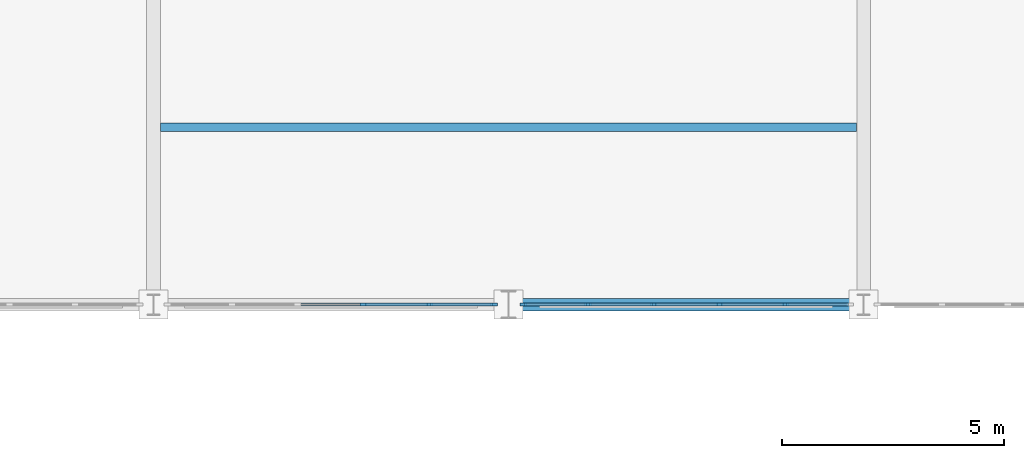
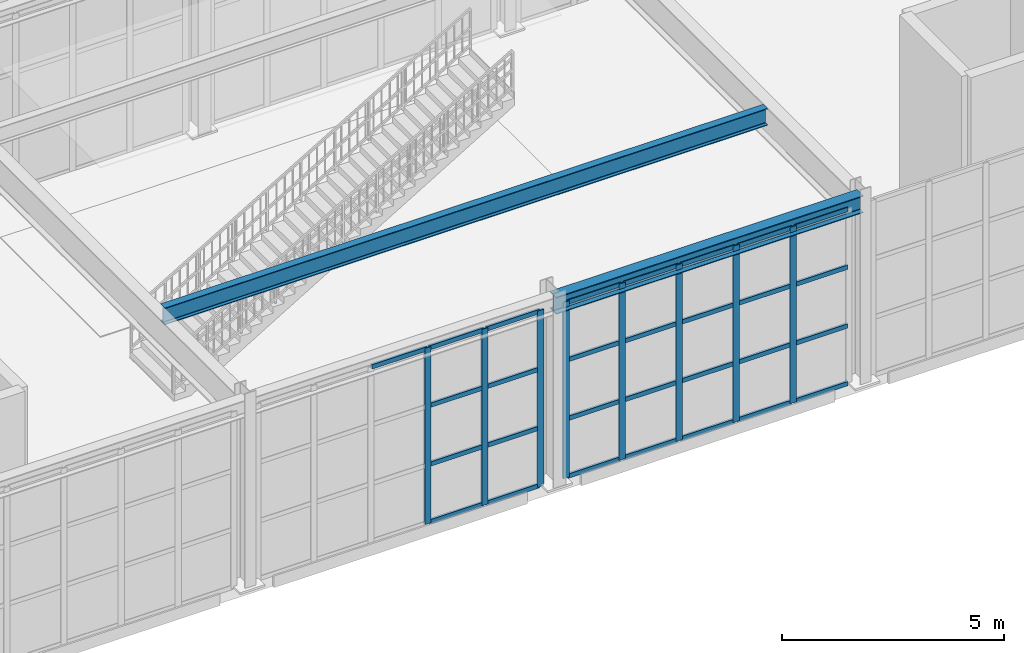
# One storey, part 24 of 82: 37 members, 2 beams, 2 elements without a shape of their own.
"""IFC4 building model written with IfcOpenShell, lengths in metres."""

from ifc_helpers import new_model, si_unit, direction, frame, origin, origin_2d, place, context, subcontext, project, spatial, rectangle, i_section, extrude, material, material_profile, profile_set, type_object, element, aggregate, save


model = new_model("IFC4")

# Units and contexts
model_context = context("Model", 3, precision=1e-05, world=origin(), true_north=direction((0.0, 1.0)))
body_context = subcontext(model_context, "Body", "Model", "MODEL_VIEW")
ifc_project = project(units=[si_unit("LENGTHUNIT", "METRE"), si_unit("AREAUNIT", "SQUARE_METRE"), si_unit("VOLUMEUNIT", "CUBIC_METRE"), si_unit("PLANEANGLEUNIT", "RADIAN"), si_unit("MASSUNIT", "GRAM", prefix="KILO")], contexts=[model_context])

# Site, building, storey
site_placement = place(None, origin())
site = spatial("IfcSite", under=ifc_project, at=site_placement, CompositionType="ELEMENT")
building_placement = place(site_placement, origin())
building = spatial("IfcBuilding", under=site, at=building_placement, Name="Serraluz Foothill Cableway Terminal", CompositionType="ELEMENT")
storey_placement = place(building_placement, frame((0.0, 0.0, 9.60009765625)))
storey = spatial("IfcBuildingStorey", under=building, at=storey_placement, Name="L02", CompositionType="ELEMENT", Elevation=9.60009765625)

# Curtain wall, members
ifc_material_1 = material(Name="Architectural bronze alloy C28000", Category="aluminium")
curtain_wall_type_1 = type_object("IfcCurtainWallType", Name="TYP-CW-620X420", PredefinedType="NOTDEFINED", material=ifc_material_1)
curtain_wall_1_placement = place(storey_placement, origin())
curtain_wall_1 = element("IfcCurtainWall", 1, at=curtain_wall_1_placement, inside=storey, type_object=curtain_wall_type_1, Name="Ribbed Glazed Curtain Wall CW-V1S-L02-80", PredefinedType="NOTDEFINED")
ifc_material_profile_1 = material_profile(ifc_material_1, rectangle(XDim=0.06005859375, YDim=0.159912109375, at=origin_2d()), Name="ALU MULLION 60x160")
ifc_profile_set_1 = profile_set([ifc_material_profile_1], Name="Architectural bronze alloy C28000")
member_type_1 = type_object("IfcMemberType", Name="TYP-CW-MUL-60X160", PredefinedType="MULLION", material=ifc_profile_set_1)
member_1_placement = place(storey_placement, frame((87.66748046875, 56.0, 0.0), z_axis=(0.0, 0.0, 1.0), x_axis=(0.0, -1.0, 0.0)))
member_1 = element("IfcMember", 2, at=member_1_placement, type_object=member_type_1, Name="CW-11 mullion 1", PredefinedType="MULLION", context=body_context, shape_type="SweptSolid", body=[
    extrude(rectangle(XDim=0.06005859375, YDim=0.159912109375, at=origin_2d()), origin(), (0.0, 0.0, 1.0), 4.849853515625),
])
member_2_placement = place(storey_placement, frame((86.21435546875, 56.0, 0.0), z_axis=(0.0, 0.0, 1.0), x_axis=(0.0, -1.0, 0.0)))
member_2 = element("IfcMember", 3, at=member_2_placement, type_object=member_type_1, Name="CW-11 mullion 2", PredefinedType="MULLION", context=body_context, shape_type="SweptSolid", body=[
    extrude(rectangle(XDim=0.06005859375, YDim=0.159912109375, at=origin_2d()), origin(), (0.0, 0.0, 1.0), 4.849853515625),
])
member_3_placement = place(storey_placement, frame((84.731201171875, 56.0, 0.0), z_axis=(0.0, 0.0, 1.0), x_axis=(0.0, -1.0, 0.0)))
member_3 = element("IfcMember", 4, at=member_3_placement, type_object=member_type_1, Name="CW-11 mullion 3", PredefinedType="MULLION", context=body_context, shape_type="SweptSolid", body=[
    extrude(rectangle(XDim=0.06005859375, YDim=0.159912109375, at=origin_2d()), origin(), (0.0, 0.0, 1.0), 4.849853515625),
])

curtain_wall_type_2 = type_object("IfcCurtainWallType", Name="TYP-CW-640X440", PredefinedType="NOTDEFINED", material=ifc_material_1)
curtain_wall_2_placement = place(storey_placement, origin())
curtain_wall_2 = element("IfcCurtainWall", 5, at=curtain_wall_2_placement, inside=storey, type_object=curtain_wall_type_2, Name="Ribbed Glazed Curtain Wall CW-V1S-L02-88", PredefinedType="NOTDEFINED")
member_4_placement = place(storey_placement, frame((94.2353515625, 56.0, 0.0), z_axis=(0.0, 0.0, 1.0), x_axis=(0.0, -1.0, 0.0)))
member_4 = element("IfcMember", 6, at=member_4_placement, type_object=member_type_1, Name="CW-12 mullion 2", PredefinedType="MULLION", context=body_context, shape_type="SweptSolid", body=[
    extrude(rectangle(XDim=0.06005859375, YDim=0.159912109375, at=origin_2d()), origin(), (0.0, 0.0, 1.0), 4.849853515625),
])
member_5_placement = place(storey_placement, frame((92.752197265625, 56.0, 0.0), z_axis=(0.0, 0.0, 1.0), x_axis=(0.0, -1.0, 0.0)))
member_5 = element("IfcMember", 7, at=member_5_placement, type_object=member_type_1, Name="CW-12 mullion 3", PredefinedType="MULLION", context=body_context, shape_type="SweptSolid", body=[
    extrude(rectangle(XDim=0.06005859375, YDim=0.159912109375, at=origin_2d()), origin(), (0.0, 0.0, 1.0), 4.849853515625),
])
member_6_placement = place(storey_placement, frame((91.268798828125, 56.0, 0.0), z_axis=(0.0, 0.0, 1.0), x_axis=(0.0, -1.0, 0.0)))
member_6 = element("IfcMember", 8, at=member_6_placement, type_object=member_type_1, Name="CW-12 mullion 4", PredefinedType="MULLION", context=body_context, shape_type="SweptSolid", body=[
    extrude(rectangle(XDim=0.06005859375, YDim=0.159912109375, at=origin_2d()), origin(), (0.0, 0.0, 1.0), 4.849853515625),
])
member_7_placement = place(storey_placement, frame((89.78564453125, 56.0, 0.0), z_axis=(0.0, 0.0, 1.0), x_axis=(0.0, -1.0, 0.0)))
member_7 = element("IfcMember", 9, at=member_7_placement, type_object=member_type_1, Name="CW-12 mullion 5", PredefinedType="MULLION", context=body_context, shape_type="SweptSolid", body=[
    extrude(rectangle(XDim=0.06005859375, YDim=0.159912109375, at=origin_2d()), origin(), (0.0, 0.0, 1.0), 4.849853515625),
])
member_8_placement = place(storey_placement, frame((88.33251953125, 56.0, 0.0), z_axis=(0.0, 0.0, 1.0), x_axis=(0.0, -1.0, 0.0)))
member_8 = element("IfcMember", 10, at=member_8_placement, type_object=member_type_1, Name="CW-12 mullion 6", PredefinedType="MULLION", context=body_context, shape_type="SweptSolid", body=[
    extrude(rectangle(XDim=0.06005859375, YDim=0.159912109375, at=origin_2d()), origin(), (0.0, 0.0, 1.0), 4.849853515625),
])

# Member
ifc_material_profile_2 = material_profile(ifc_material_1, rectangle(XDim=0.06005859375, YDim=0.1201171875, at=origin_2d()), Name="ALU TRANSOM 60x120")
ifc_profile_set_2 = profile_set([ifc_material_profile_2], Name="Architectural bronze alloy C28000")
member_type_2 = type_object("IfcMemberType", Name="TYP-CW-TRN-60X120", PredefinedType="USERDEFINED", material=ifc_profile_set_2)
member_9_placement = place(storey_placement, frame((87.637451171875, 56.0, 0.02978515625), z_axis=(-1.0, 0.0, 0.0), x_axis=(0.0, -1.0, 0.0)))
member_9 = element("IfcMember", 11, at=member_9_placement, type_object=member_type_2, Name="CW-11 transom 1.1", ObjectType="TRANSOM", PredefinedType="USERDEFINED", context=body_context, shape_type="SweptSolid", body=[
    extrude(rectangle(XDim=0.06005859375, YDim=0.1201171875, at=origin_2d()), origin(), (0.0, 0.0, 1.0), 1.39306640625),
])

member_10_placement = place(storey_placement, frame((87.637451171875, 56.0, 1.61669921875), z_axis=(-1.0, 0.0, 0.0), x_axis=(0.0, -1.0, 0.0)))
member_10 = element("IfcMember", 12, at=member_10_placement, type_object=member_type_2, Name="CW-11 transom 1.2", ObjectType="TRANSOM", PredefinedType="USERDEFINED", context=body_context, shape_type="SweptSolid", body=[
    extrude(rectangle(XDim=0.06005859375, YDim=0.1201171875, at=origin_2d()), origin(), (0.0, 0.0, 1.0), 1.39306640625),
])

member_11_placement = place(storey_placement, frame((87.637451171875, 56.0, 3.233154296875), z_axis=(-1.0, 0.0, 0.0), x_axis=(0.0, -1.0, 0.0)))
member_11 = element("IfcMember", 13, at=member_11_placement, type_object=member_type_2, Name="CW-11 transom 1.3", ObjectType="TRANSOM", PredefinedType="USERDEFINED", context=body_context, shape_type="SweptSolid", body=[
    extrude(rectangle(XDim=0.06005859375, YDim=0.1201171875, at=origin_2d()), origin(), (0.0, 0.0, 1.0), 1.39306640625),
])

member_12_placement = place(storey_placement, frame((87.637451171875, 56.0, 4.81982421875), z_axis=(-1.0, 0.0, 0.0), x_axis=(0.0, -1.0, 0.0)))
member_12 = element("IfcMember", 14, at=member_12_placement, type_object=member_type_2, Name="CW-11 transom 1.4", ObjectType="TRANSOM", PredefinedType="USERDEFINED", context=body_context, shape_type="SweptSolid", body=[
    extrude(rectangle(XDim=0.06005859375, YDim=0.1201171875, at=origin_2d()), origin(), (0.0, 0.0, 1.0), 1.39306640625),
])

member_13_placement = place(storey_placement, frame((86.184326171875, 56.0, 0.02978515625), z_axis=(-1.0, 0.0, 0.0), x_axis=(0.0, -1.0, 0.0)))
member_13 = element("IfcMember", 15, at=member_13_placement, type_object=member_type_2, Name="CW-11 transom 2.1", ObjectType="TRANSOM", PredefinedType="USERDEFINED", context=body_context, shape_type="SweptSolid", body=[
    extrude(rectangle(XDim=0.06005859375, YDim=0.1201171875, at=origin_2d()), origin(), (0.0, 0.0, 1.0), 1.42333984375),
])

member_14_placement = place(storey_placement, frame((86.184326171875, 56.0, 1.61669921875), z_axis=(-1.0, 0.0, 0.0), x_axis=(0.0, -1.0, 0.0)))
member_14 = element("IfcMember", 16, at=member_14_placement, type_object=member_type_2, Name="CW-11 transom 2.2", ObjectType="TRANSOM", PredefinedType="USERDEFINED", context=body_context, shape_type="SweptSolid", body=[
    extrude(rectangle(XDim=0.06005859375, YDim=0.1201171875, at=origin_2d()), origin(), (0.0, 0.0, 1.0), 1.42333984375),
])

member_15_placement = place(storey_placement, frame((86.184326171875, 56.0, 3.233154296875), z_axis=(-1.0, 0.0, 0.0), x_axis=(0.0, -1.0, 0.0)))
member_15 = element("IfcMember", 17, at=member_15_placement, type_object=member_type_2, Name="CW-11 transom 2.3", ObjectType="TRANSOM", PredefinedType="USERDEFINED", context=body_context, shape_type="SweptSolid", body=[
    extrude(rectangle(XDim=0.06005859375, YDim=0.1201171875, at=origin_2d()), origin(), (0.0, 0.0, 1.0), 1.42333984375),
])

member_16_placement = place(storey_placement, frame((86.184326171875, 56.0, 4.81982421875), z_axis=(-1.0, 0.0, 0.0), x_axis=(0.0, -1.0, 0.0)))
member_16 = element("IfcMember", 18, at=member_16_placement, type_object=member_type_2, Name="CW-11 transom 2.4", ObjectType="TRANSOM", PredefinedType="USERDEFINED", context=body_context, shape_type="SweptSolid", body=[
    extrude(rectangle(XDim=0.06005859375, YDim=0.1201171875, at=origin_2d()), origin(), (0.0, 0.0, 1.0), 1.42333984375),
])

member_17_placement = place(storey_placement, frame((84.701171875, 56.0, 4.81982421875), z_axis=(-1.0, 0.0, 0.0), x_axis=(0.0, -1.0, 0.0)))
member_17 = element("IfcMember", 19, at=member_17_placement, type_object=member_type_2, Name="CW-11 transom 3.4", ObjectType="TRANSOM", PredefinedType="USERDEFINED", context=body_context, shape_type="SweptSolid", body=[
    extrude(rectangle(XDim=0.06005859375, YDim=0.1201171875, at=origin_2d()), origin(), (0.0, 0.0, 1.0), 1.42333984375),
])

aggregate(curtain_wall_1, [member_1, member_2, member_3, member_9, member_10, member_11, member_12, member_13, member_14, member_15, member_16, member_17])

member_18_placement = place(storey_placement, frame((95.658447265625, 56.0, 0.02978515625), z_axis=(-1.0, 0.0, 0.0), x_axis=(0.0, -1.0, 0.0)))
member_18 = element("IfcMember", 20, at=member_18_placement, type_object=member_type_2, Name="CW-12 transom 1.1", ObjectType="TRANSOM", PredefinedType="USERDEFINED", context=body_context, shape_type="SweptSolid", body=[
    extrude(rectangle(XDim=0.06005859375, YDim=0.1201171875, at=origin_2d()), origin(), (0.0, 0.0, 1.0), 1.39306640625),
])

member_19_placement = place(storey_placement, frame((95.658447265625, 56.0, 1.61669921875), z_axis=(-1.0, 0.0, 0.0), x_axis=(0.0, -1.0, 0.0)))
member_19 = element("IfcMember", 21, at=member_19_placement, type_object=member_type_2, Name="CW-12 transom 1.2", ObjectType="TRANSOM", PredefinedType="USERDEFINED", context=body_context, shape_type="SweptSolid", body=[
    extrude(rectangle(XDim=0.06005859375, YDim=0.1201171875, at=origin_2d()), origin(), (0.0, 0.0, 1.0), 1.39306640625),
])

member_20_placement = place(storey_placement, frame((95.658447265625, 56.0, 3.233154296875), z_axis=(-1.0, 0.0, 0.0), x_axis=(0.0, -1.0, 0.0)))
member_20 = element("IfcMember", 22, at=member_20_placement, type_object=member_type_2, Name="CW-12 transom 1.3", ObjectType="TRANSOM", PredefinedType="USERDEFINED", context=body_context, shape_type="SweptSolid", body=[
    extrude(rectangle(XDim=0.06005859375, YDim=0.1201171875, at=origin_2d()), origin(), (0.0, 0.0, 1.0), 1.39306640625),
])

member_21_placement = place(storey_placement, frame((95.658447265625, 56.0, 4.81982421875), z_axis=(-1.0, 0.0, 0.0), x_axis=(0.0, -1.0, 0.0)))
member_21 = element("IfcMember", 23, at=member_21_placement, type_object=member_type_2, Name="CW-12 transom 1.4", ObjectType="TRANSOM", PredefinedType="USERDEFINED", context=body_context, shape_type="SweptSolid", body=[
    extrude(rectangle(XDim=0.06005859375, YDim=0.1201171875, at=origin_2d()), origin(), (0.0, 0.0, 1.0), 1.39306640625),
])

member_22_placement = place(storey_placement, frame((94.205322265625, 56.0, 0.02978515625), z_axis=(-1.0, 0.0, 0.0), x_axis=(0.0, -1.0, 0.0)))
member_22 = element("IfcMember", 24, at=member_22_placement, type_object=member_type_2, Name="CW-12 transom 2.1", ObjectType="TRANSOM", PredefinedType="USERDEFINED", context=body_context, shape_type="SweptSolid", body=[
    extrude(rectangle(XDim=0.06005859375, YDim=0.1201171875, at=origin_2d()), origin(), (0.0, 0.0, 1.0), 1.42333984375),
])

member_23_placement = place(storey_placement, frame((94.205322265625, 56.0, 1.61669921875), z_axis=(-1.0, 0.0, 0.0), x_axis=(0.0, -1.0, 0.0)))
member_23 = element("IfcMember", 25, at=member_23_placement, type_object=member_type_2, Name="CW-12 transom 2.2", ObjectType="TRANSOM", PredefinedType="USERDEFINED", context=body_context, shape_type="SweptSolid", body=[
    extrude(rectangle(XDim=0.06005859375, YDim=0.1201171875, at=origin_2d()), origin(), (0.0, 0.0, 1.0), 1.42333984375),
])

member_24_placement = place(storey_placement, frame((94.205322265625, 56.0, 3.233154296875), z_axis=(-1.0, 0.0, 0.0), x_axis=(0.0, -1.0, 0.0)))
member_24 = element("IfcMember", 26, at=member_24_placement, type_object=member_type_2, Name="CW-12 transom 2.3", ObjectType="TRANSOM", PredefinedType="USERDEFINED", context=body_context, shape_type="SweptSolid", body=[
    extrude(rectangle(XDim=0.06005859375, YDim=0.1201171875, at=origin_2d()), origin(), (0.0, 0.0, 1.0), 1.42333984375),
])

member_25_placement = place(storey_placement, frame((94.205322265625, 56.0, 4.81982421875), z_axis=(-1.0, 0.0, 0.0), x_axis=(0.0, -1.0, 0.0)))
member_25 = element("IfcMember", 27, at=member_25_placement, type_object=member_type_2, Name="CW-12 transom 2.4", ObjectType="TRANSOM", PredefinedType="USERDEFINED", context=body_context, shape_type="SweptSolid", body=[
    extrude(rectangle(XDim=0.06005859375, YDim=0.1201171875, at=origin_2d()), origin(), (0.0, 0.0, 1.0), 1.42333984375),
])

member_26_placement = place(storey_placement, frame((92.72216796875, 56.0, 0.02978515625), z_axis=(-1.0, 0.0, 0.0), x_axis=(0.0, -1.0, 0.0)))
member_26 = element("IfcMember", 28, at=member_26_placement, type_object=member_type_2, Name="CW-12 transom 3.1", ObjectType="TRANSOM", PredefinedType="USERDEFINED", context=body_context, shape_type="SweptSolid", body=[
    extrude(rectangle(XDim=0.06005859375, YDim=0.1201171875, at=origin_2d()), origin(), (0.0, 0.0, 1.0), 1.42333984375),
])

member_27_placement = place(storey_placement, frame((92.72216796875, 56.0, 1.61669921875), z_axis=(-1.0, 0.0, 0.0), x_axis=(0.0, -1.0, 0.0)))
member_27 = element("IfcMember", 29, at=member_27_placement, type_object=member_type_2, Name="CW-12 transom 3.2", ObjectType="TRANSOM", PredefinedType="USERDEFINED", context=body_context, shape_type="SweptSolid", body=[
    extrude(rectangle(XDim=0.06005859375, YDim=0.1201171875, at=origin_2d()), origin(), (0.0, 0.0, 1.0), 1.42333984375),
])

member_28_placement = place(storey_placement, frame((92.72216796875, 56.0, 3.233154296875), z_axis=(-1.0, 0.0, 0.0), x_axis=(0.0, -1.0, 0.0)))
member_28 = element("IfcMember", 30, at=member_28_placement, type_object=member_type_2, Name="CW-12 transom 3.3", ObjectType="TRANSOM", PredefinedType="USERDEFINED", context=body_context, shape_type="SweptSolid", body=[
    extrude(rectangle(XDim=0.06005859375, YDim=0.1201171875, at=origin_2d()), origin(), (0.0, 0.0, 1.0), 1.42333984375),
])

member_29_placement = place(storey_placement, frame((92.72216796875, 56.0, 4.81982421875), z_axis=(-1.0, 0.0, 0.0), x_axis=(0.0, -1.0, 0.0)))
member_29 = element("IfcMember", 31, at=member_29_placement, type_object=member_type_2, Name="CW-12 transom 3.4", ObjectType="TRANSOM", PredefinedType="USERDEFINED", context=body_context, shape_type="SweptSolid", body=[
    extrude(rectangle(XDim=0.06005859375, YDim=0.1201171875, at=origin_2d()), origin(), (0.0, 0.0, 1.0), 1.42333984375),
])

member_30_placement = place(storey_placement, frame((91.239013671875, 56.0, 0.02978515625), z_axis=(-1.0, 0.0, 0.0), x_axis=(0.0, -1.0, 0.0)))
member_30 = element("IfcMember", 32, at=member_30_placement, type_object=member_type_2, Name="CW-12 transom 4.1", ObjectType="TRANSOM", PredefinedType="USERDEFINED", context=body_context, shape_type="SweptSolid", body=[
    extrude(rectangle(XDim=0.06005859375, YDim=0.1201171875, at=origin_2d()), origin(), (0.0, 0.0, 1.0), 1.42333984375),
])

member_31_placement = place(storey_placement, frame((91.239013671875, 56.0, 1.61669921875), z_axis=(-1.0, 0.0, 0.0), x_axis=(0.0, -1.0, 0.0)))
member_31 = element("IfcMember", 33, at=member_31_placement, type_object=member_type_2, Name="CW-12 transom 4.2", ObjectType="TRANSOM", PredefinedType="USERDEFINED", context=body_context, shape_type="SweptSolid", body=[
    extrude(rectangle(XDim=0.06005859375, YDim=0.1201171875, at=origin_2d()), origin(), (0.0, 0.0, 1.0), 1.42333984375),
])

member_32_placement = place(storey_placement, frame((91.239013671875, 56.0, 3.233154296875), z_axis=(-1.0, 0.0, 0.0), x_axis=(0.0, -1.0, 0.0)))
member_32 = element("IfcMember", 34, at=member_32_placement, type_object=member_type_2, Name="CW-12 transom 4.3", ObjectType="TRANSOM", PredefinedType="USERDEFINED", context=body_context, shape_type="SweptSolid", body=[
    extrude(rectangle(XDim=0.06005859375, YDim=0.1201171875, at=origin_2d()), origin(), (0.0, 0.0, 1.0), 1.42333984375),
])

member_33_placement = place(storey_placement, frame((91.239013671875, 56.0, 4.81982421875), z_axis=(-1.0, 0.0, 0.0), x_axis=(0.0, -1.0, 0.0)))
member_33 = element("IfcMember", 35, at=member_33_placement, type_object=member_type_2, Name="CW-12 transom 4.4", ObjectType="TRANSOM", PredefinedType="USERDEFINED", context=body_context, shape_type="SweptSolid", body=[
    extrude(rectangle(XDim=0.06005859375, YDim=0.1201171875, at=origin_2d()), origin(), (0.0, 0.0, 1.0), 1.42333984375),
])

member_34_placement = place(storey_placement, frame((89.755615234375, 56.0, 0.02978515625), z_axis=(-1.0, 0.0, 0.0), x_axis=(0.0, -1.0, 0.0)))
member_34 = element("IfcMember", 36, at=member_34_placement, type_object=member_type_2, Name="CW-12 transom 5.1", ObjectType="TRANSOM", PredefinedType="USERDEFINED", context=body_context, shape_type="SweptSolid", body=[
    extrude(rectangle(XDim=0.06005859375, YDim=0.1201171875, at=origin_2d()), origin(), (0.0, 0.0, 1.0), 1.39306640625),
])

member_35_placement = place(storey_placement, frame((89.755615234375, 56.0, 1.61669921875), z_axis=(-1.0, 0.0, 0.0), x_axis=(0.0, -1.0, 0.0)))
member_35 = element("IfcMember", 37, at=member_35_placement, type_object=member_type_2, Name="CW-12 transom 5.2", ObjectType="TRANSOM", PredefinedType="USERDEFINED", context=body_context, shape_type="SweptSolid", body=[
    extrude(rectangle(XDim=0.06005859375, YDim=0.1201171875, at=origin_2d()), origin(), (0.0, 0.0, 1.0), 1.39306640625),
])

member_36_placement = place(storey_placement, frame((89.755615234375, 56.0, 3.233154296875), z_axis=(-1.0, 0.0, 0.0), x_axis=(0.0, -1.0, 0.0)))
member_36 = element("IfcMember", 38, at=member_36_placement, type_object=member_type_2, Name="CW-12 transom 5.3", ObjectType="TRANSOM", PredefinedType="USERDEFINED", context=body_context, shape_type="SweptSolid", body=[
    extrude(rectangle(XDim=0.06005859375, YDim=0.1201171875, at=origin_2d()), origin(), (0.0, 0.0, 1.0), 1.39306640625),
])

member_37_placement = place(storey_placement, frame((89.755615234375, 56.0, 4.81982421875), z_axis=(-1.0, 0.0, 0.0), x_axis=(0.0, -1.0, 0.0)))
member_37 = element("IfcMember", 39, at=member_37_placement, type_object=member_type_2, Name="CW-12 transom 5.4", ObjectType="TRANSOM", PredefinedType="USERDEFINED", context=body_context, shape_type="SweptSolid", body=[
    extrude(rectangle(XDim=0.06005859375, YDim=0.1201171875, at=origin_2d()), origin(), (0.0, 0.0, 1.0), 1.39306640625),
])

aggregate(curtain_wall_2, [member_4, member_5, member_6, member_7, member_8, member_18, member_19, member_20, member_21, member_22, member_23, member_24, member_25, member_26, member_27, member_28, member_29, member_30, member_31, member_32, member_33, member_34, member_35, member_36, member_37])

# Beams
ifc_material_2 = material(Name="Steel ASTM A992 Grade 50", Category="steel")
ifc_material_profile_3 = material_profile(ifc_material_2, i_section(OverallWidth=0.193115234375, OverallDepth=0.467041015625, WebThickness=0.011474609375, FlangeThickness=0.01904296875, FilletRadius=0.014892578125, at=origin_2d()), Name="W18X65")
ifc_profile_set_3 = profile_set([ifc_material_profile_3], Name="Steel ASTM A992 Grade 50")
beam_type_1 = type_object("IfcBeamType", Name="TYP-JS-W18X65", PredefinedType="JOIST", material=ifc_profile_set_3)
beam_1_placement = place(storey_placement, frame((80.158935546875, 60.0, 4.91650390625), z_axis=(1.0, 0.0, 0.0), x_axis=(0.0, 1.0, 0.0)))
element("IfcBeam", 40, at=beam_1_placement, inside=storey, type_object=beam_type_1, Name="Secondary Floor Joist JS-L02-0126", PredefinedType="JOIST", context=body_context, shape_type="SweptSolid", body=[
    extrude(i_section(OverallWidth=0.193115234375, OverallDepth=0.467041015625, WebThickness=0.011474609375, FlangeThickness=0.01904296875, FilletRadius=0.014892578125, at=origin_2d()), origin(), (0.0, 0.0, 1.0), 15.68212890625),
])
ifc_material_profile_4 = material_profile(ifc_material_2, i_section(OverallWidth=0.282958984375, OverallDepth=0.471923828125, WebThickness=0.013671875, FlangeThickness=0.022216796875, FilletRadius=0.014892578125, at=origin_2d()), Name="W18X97")
ifc_profile_set_4 = profile_set([ifc_material_profile_4], Name="Steel ASTM A992 Grade 50")
beam_type_2 = type_object("IfcBeamType", Name="TYP-SP-W18X97", PredefinedType="SPANDREL", material=ifc_profile_set_4)
beam_2_placement = place(storey_placement, frame((88.0048828125, 56.0, 4.913818359375), z_axis=(1.0, 0.0, 0.0), x_axis=(0.0, 1.0, 0.0)))
element("IfcBeam", 41, at=beam_2_placement, inside=storey, type_object=beam_type_2, Name="Primary Girder BM-X-L02-0310", PredefinedType="SPANDREL", context=body_context, shape_type="SweptSolid", body=[
    extrude(i_section(OverallWidth=0.282958984375, OverallDepth=0.471923828125, WebThickness=0.013671875, FlangeThickness=0.022216796875, FilletRadius=0.014892578125, at=origin_2d()), origin(), (0.0, 0.0, 1.0), 7.990234375),
])

save(model, "model.ifc")
